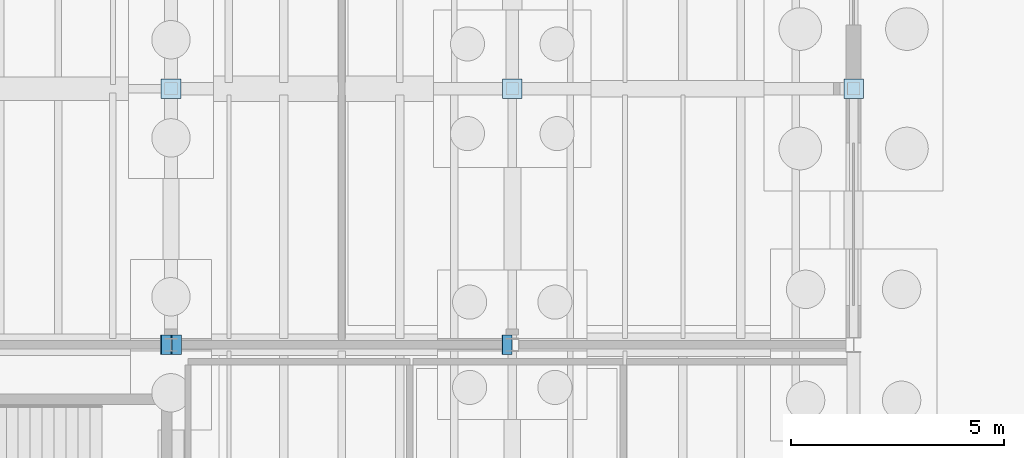
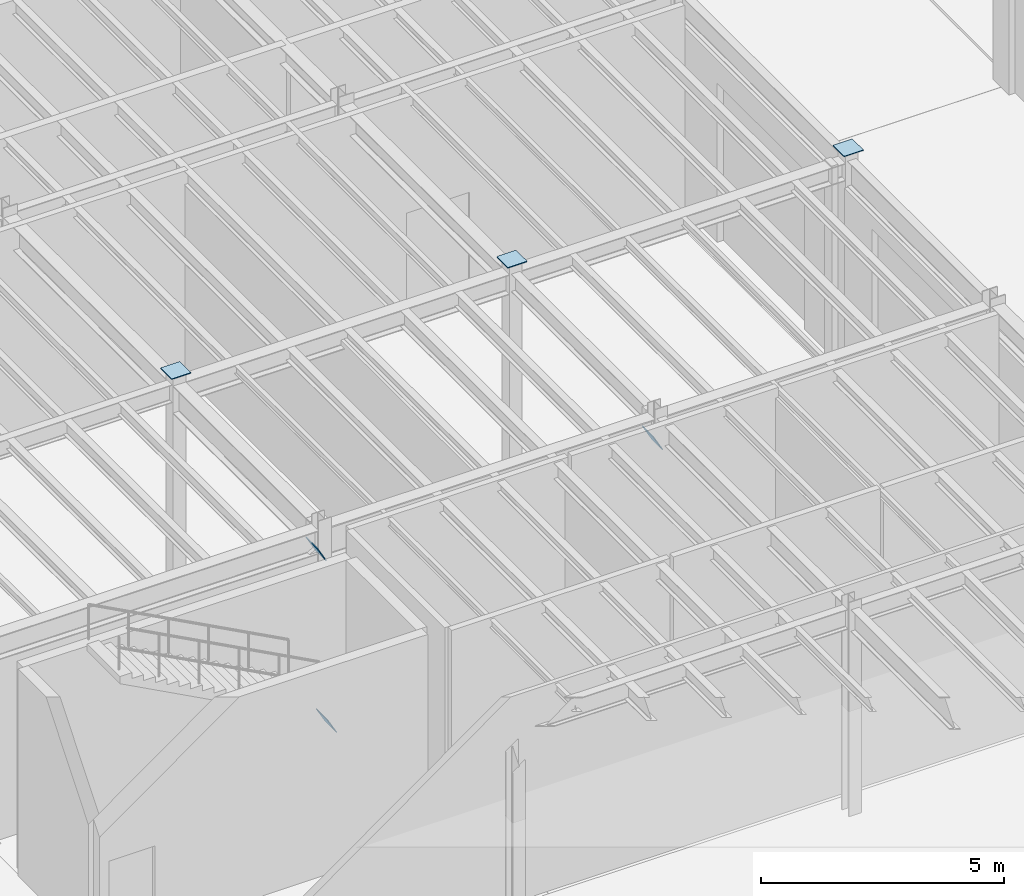
# One storey, part 56 of 86: 6 plates.
"""IFC4 building model written with IfcOpenShell, lengths in metres."""

import ifcopenshell
import ifcopenshell.guid

model = None  # the IFC model being written
_history = None  # IfcOwnerHistory: only IFC2X3 demands one
_inside = {}  # id of a spatial element -> (the spatial element, [elements in it])
_under = {}  # id of a project, library or spatial element -> (it, [spatial elements below it])
_declared = {}  # id of a project -> (the project, [libraries it declares])
_typed = {}  # id of a type object -> (the type object, [elements of that type])
_made_of = {}  # id of a material, layer set ... -> (it, [elements and type objects made of it])


def new_model(schema):
    """Start an empty IFC model of exactly this schema.

    Asked for "IFC4X3", IfcOpenShell would pick the latest addendum, in which some entities
    have other attributes; the version numbers below select the first issue.
    IFC2X3 requires an IfcOwnerHistory on every rooted entity: one is made here for all.
    """
    global model, _history
    if schema == "IFC4X3":
        model = ifcopenshell.file(schema_version=(4, 3, 0, 0))
    else:
        model = ifcopenshell.file(schema=schema)
    _inside.clear()
    _under.clear()
    _declared.clear()
    _typed.clear()
    _made_of.clear()
    _history = None
    if model.schema == "IFC2X3":
        org = make("IfcOrganization", Name="unknown")
        user = make(
            "IfcPersonAndOrganization",
            ThePerson=make("IfcPerson", FamilyName="unknown"),
            TheOrganization=org,
        )
        app = make(
            "IfcApplication",
            ApplicationDeveloper=org,
            Version="unknown",
            ApplicationFullName="unknown",
            ApplicationIdentifier="unknown",
        )
        _history = make(
            "IfcOwnerHistory",
            OwningUser=user,
            OwningApplication=app,
            ChangeAction="ADDED",
            CreationDate=0,
        )
    return model


def make(cls, **values):
    """One entity of the class cls with the attributes given. An attribute that is None is left unset."""
    return model.create_entity(
        cls, **{name: value for name, value in values.items() if value is not None}
    )


def rooted(cls, **values):
    """An entity with a GlobalId (a new one), such as an element, a storey or a relation."""
    return make(cls, GlobalId=ifcopenshell.guid.new(), OwnerHistory=_history, **values)


def si_unit(unit_type, name, prefix=None):
    """IfcSIUnit, for example si_unit("LENGTHUNIT", "METRE", prefix="MILLI")."""
    return make("IfcSIUnit", UnitType=unit_type, Prefix=prefix, Name=name)


def assignment(units):
    """IfcUnitAssignment: the units of a project."""
    return None if units is None else make("IfcUnitAssignment", Units=units)


def point(xyz):
    """IfcCartesianPoint."""
    return None if xyz is None else make("IfcCartesianPoint", Coordinates=xyz)


def direction(xyz):
    """IfcDirection."""
    return None if xyz is None else make("IfcDirection", DirectionRatios=xyz)


def frame(location, z_axis=None, x_axis=None):
    """IfcAxis2Placement3D, a coordinate frame: its origin and axes. An axis left out is left unset."""
    return make(
        "IfcAxis2Placement3D",
        Location=point(location),
        Axis=direction(z_axis),
        RefDirection=direction(x_axis),
    )


def frame_2d(location, x_axis=None):
    """IfcAxis2Placement2D, a coordinate frame in the plane: its origin and x axis."""
    return make(
        "IfcAxis2Placement2D", Location=point(location), RefDirection=direction(x_axis)
    )


def origin():
    """The frame at (0, 0, 0) with its axes left unset."""
    return frame((0.0, 0.0, 0.0))


def origin_2d():
    """The frame at (0, 0) in the plane with its x axis left unset."""
    return frame_2d((0.0, 0.0))


def place(relative_to, where):
    """IfcLocalPlacement: puts the frame where relative to a parent placement (None: the world)."""
    return make(
        "IfcLocalPlacement", PlacementRelTo=relative_to, RelativePlacement=where
    )


def context(
    kind, dimensions, precision=None, world=None, true_north=None, identifier=None
):
    """IfcGeometricRepresentationContext, for example the 3D "Model" context."""
    return make(
        "IfcGeometricRepresentationContext",
        ContextIdentifier=identifier,
        ContextType=kind,
        CoordinateSpaceDimension=dimensions,
        Precision=precision,
        WorldCoordinateSystem=world,
        TrueNorth=true_north,
    )


def subcontext(parent, identifier, kind, view, scale=None):
    """IfcGeometricRepresentationSubContext, for example "Body" below "Model"."""
    return make(
        "IfcGeometricRepresentationSubContext",
        ContextIdentifier=identifier,
        ContextType=kind,
        ParentContext=parent,
        TargetScale=scale,
        TargetView=view,
    )


def project(units=None, contexts=None):
    """IfcProject with its units and contexts."""
    return rooted(
        "IfcProject",
        Name="project",
        RepresentationContexts=contexts,
        UnitsInContext=assignment(units),
    )


def spatial(cls, under=None, at=None, **own):
    """A site, building, storey or space (cls), placed at a placement, below another one or the project."""
    s = rooted(cls, ObjectPlacement=at, **own)
    if under is not None:
        _under.setdefault(under.id(), (under, []))[1].append(s)
    return s


def profile(cls, at=None, kind="AREA", **sizes):
    """A parametric profile (cls). Its sizes go by their IFC names, for example OverallWidth=200.0."""
    return make(cls, ProfileType=kind, Position=at, **sizes)


def rectangle(**sizes):
    """IfcRectangleProfileDef."""
    return profile("IfcRectangleProfileDef", **sizes)


def extrude(swept, where, along, depth):
    """IfcExtrudedAreaSolid: the profile swept, set in the frame where, extruded along a direction by depth."""
    return make(
        "IfcExtrudedAreaSolid",
        SweptArea=swept,
        Position=where,
        ExtrudedDirection=direction(along),
        Depth=depth,
    )


def shape(context_of_items, identifier, shape_type, items):
    """IfcShapeRepresentation: the items that make up one representation, for example the "Body"."""
    return make(
        "IfcShapeRepresentation",
        ContextOfItems=context_of_items,
        RepresentationIdentifier=identifier,
        RepresentationType=shape_type,
        Items=items,
    )


def material(Name=None, Category=None):
    """IfcMaterial."""
    return make("IfcMaterial", Name=Name, Category=Category)


def material_profile(
    of_material, cross_section, Name=None, Category=None, Priority=None
):
    """IfcMaterialProfile: a cross section and its material."""
    return make(
        "IfcMaterialProfile",
        Name=Name,
        Material=of_material,
        Profile=cross_section,
        Priority=Priority,
        Category=Category,
    )


def profile_set(profiles, Name=None, composite=None):
    """IfcMaterialProfileSet."""
    return make(
        "IfcMaterialProfileSet",
        Name=Name,
        MaterialProfiles=profiles,
        CompositeProfile=composite,
    )


def made_of(thing, what):
    """Note that an element or type object is made of a material, layer set ...; save() writes the relation."""
    if what is not None:
        _made_of.setdefault(what.id(), (what, []))[1].append(thing)
    return thing


def type_object(cls, material=None, **own):
    """A type object (cls), such as IfcWallType, which elements share."""
    return made_of(rooted(cls, **own), material)


def element(
    cls,
    number,
    at=None,
    inside=None,
    cuts=None,
    type_object=None,
    material=None,
    context=None,
    identifier="Body",
    shape_type=None,
    held_by="IfcProductDefinitionShape",
    body=None,
    shapes=None,
    **own,
):
    """One element of the class cls, such as IfcWall. Its Tag is "e" and its number.

    at: its placement. inside: the storey or other place that contains it. cuts: it is an
    opening in that element (IfcRelVoidsElement). A single representation is given by context,
    identifier, shape_type and body (its items); several are given by shapes. held_by: the class
    of the entity that holds the representations. save() writes the other relations.
    """
    e = rooted(cls, Tag="e%d" % number, ObjectPlacement=at, **own)
    if body is not None:
        shapes = [shape(context, identifier, shape_type, body)]
    if shapes is not None:
        e.Representation = make(held_by, Representations=shapes)
    if inside is not None:
        _inside.setdefault(inside.id(), (inside, []))[1].append(e)
    if cuts is not None:
        rooted(
            "IfcRelVoidsElement", RelatingBuildingElement=cuts, RelatedOpeningElement=e
        )
    if type_object is not None:
        _typed.setdefault(type_object.id(), (type_object, []))[1].append(e)
    return made_of(e, material)


def aggregate(whole, parts):
    """IfcRelAggregates: a whole, such as a stair, and the parts it consists of."""
    return rooted("IfcRelAggregates", RelatingObject=whole, RelatedObjects=parts)


def save(model, path):
    """Write the relations noted so far, then the file.

    IfcRelAggregates (storeys below a building ...), IfcRelContainedInSpatialStructure (elements
    in a storey), IfcRelDefinesByType, IfcRelAssociatesMaterial and IfcRelDeclares: one each for
    every whole, place, type object, material and project.
    """
    for whole, parts in _under.values():
        aggregate(whole, parts)
    for where, things in _inside.values():
        rooted(
            "IfcRelContainedInSpatialStructure",
            RelatedElements=things,
            RelatingStructure=where,
        )
    for kind, things in _typed.values():
        rooted("IfcRelDefinesByType", RelatedObjects=things, RelatingType=kind)
    for what, things in _made_of.values():
        rooted("IfcRelAssociatesMaterial", RelatedObjects=things, RelatingMaterial=what)
    for by, libraries in _declared.values():
        rooted("IfcRelDeclares", RelatingContext=by, RelatedDefinitions=libraries)
    model.write(path)


model = new_model("IFC4")

# Units and contexts
model_context = context("Model", 3, precision=1e-05, world=origin(), true_north=direction((0.0, 1.0)))
body_context = subcontext(model_context, "Body", "Model", "MODEL_VIEW")
ifc_project = project(units=[si_unit("LENGTHUNIT", "METRE"), si_unit("AREAUNIT", "SQUARE_METRE"), si_unit("VOLUMEUNIT", "CUBIC_METRE"), si_unit("PLANEANGLEUNIT", "RADIAN"), si_unit("MASSUNIT", "GRAM", prefix="KILO"), si_unit("THERMODYNAMICTEMPERATUREUNIT", "KELVIN"), si_unit("POWERUNIT", "WATT")], contexts=[model_context])

# Site, building, storey
site_placement = place(None, origin())
site = spatial("IfcSite", under=ifc_project, at=site_placement, CompositionType="ELEMENT")
building_placement = place(site_placement, origin())
building = spatial("IfcBuilding", under=site, at=building_placement, Name="Zhenchuan Central Fire Station", CompositionType="ELEMENT")
storey_placement = place(building_placement, frame((0.0, 0.0, 0.449951171875)))
storey = spatial("IfcBuildingStorey", under=building, at=storey_placement, Name="L01", CompositionType="ELEMENT", Elevation=0.449951171875)

# Plates
ifc_material = material(Name="Steel Q355B", Category="steel")
ifc_material_profile = material_profile(ifc_material, rectangle(XDim=0.4599609375, YDim=0.4599609375, at=origin_2d()), Name="PL 460x460x28")
ifc_profile_set = profile_set([ifc_material_profile], Name="Steel Q355B")
plate_type = type_object("IfcPlateType", Name="PL-GUS28-INT", PredefinedType="SHEET", material=ifc_profile_set)
for number, where, z_axis, x_axis, name in (
    (1, (32.0, 28.5, 5.39599609375), (0.0, 0.0, 1.0), (1.0, 0.0, 0.0), "L01 Column 041 end cap plate B"),
    (2, (40.0, 28.5, 5.39599609375), (0.0, 0.0, 1.0), (1.0, 0.0, 0.0), "L01 Column 050 end cap plate B"),
    (3, (48.0, 28.5, 5.39599609375), (0.0, 0.0, 1.0), (1.0, 0.0, 0.0), "L01 Column 059 end cap plate B"),
    (4, (31.868408203125, 22.5, 4.59814453125), (0.874157276122, 0.0, 0.485642931179), (0.0, 1.0, 0.0), "Interior Frame Lateral Brace 02 end cap plate B"),
    (5, (32.114013671875, 22.5, 0.192138671875), (0.874157276122, 0.0, 0.485642931179), (0.0, 1.0, 0.0), "Interior Frame Lateral Brace 03 end cap plate A"),
    (6, (39.868408203125, 22.5, 4.59814453125), (0.874157276122, 0.0, 0.485642931179), (0.0, 1.0, 0.0), "Interior Frame Lateral Brace 03 end cap plate B"),
):
    element("IfcPlate", number, at=place(storey_placement, frame(where, z_axis=z_axis, x_axis=x_axis)), inside=storey, type_object=plate_type, Name=name, PredefinedType="SHEET", context=body_context, shape_type="SweptSolid", body=[
        extrude(rectangle(XDim=0.4599609375, YDim=0.4599609375, at=origin_2d()), origin(), (0.0, 0.0, 1.0), 0.02001953125),
    ])

save(model, "model.ifc")
